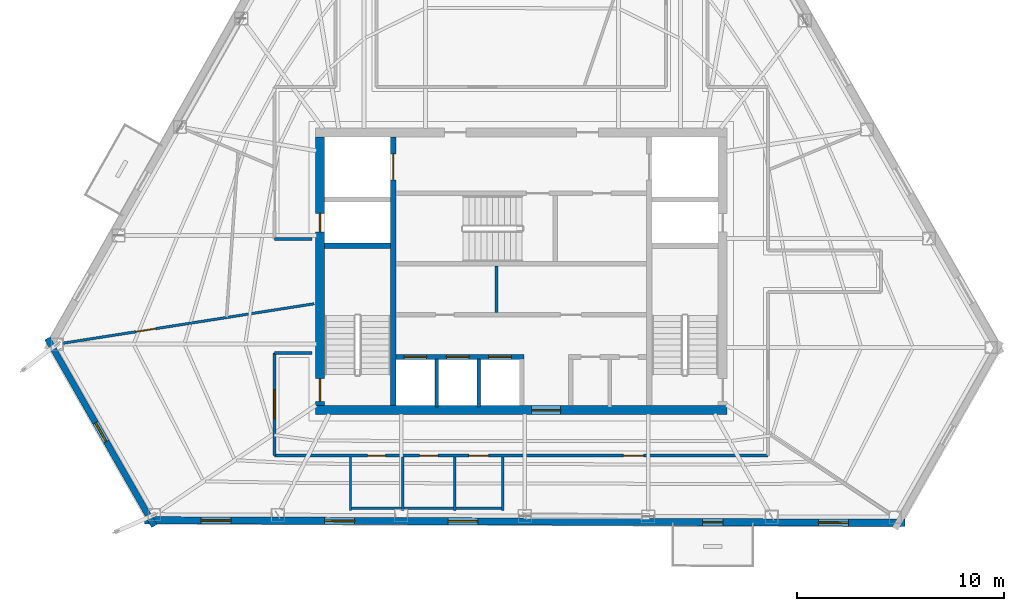
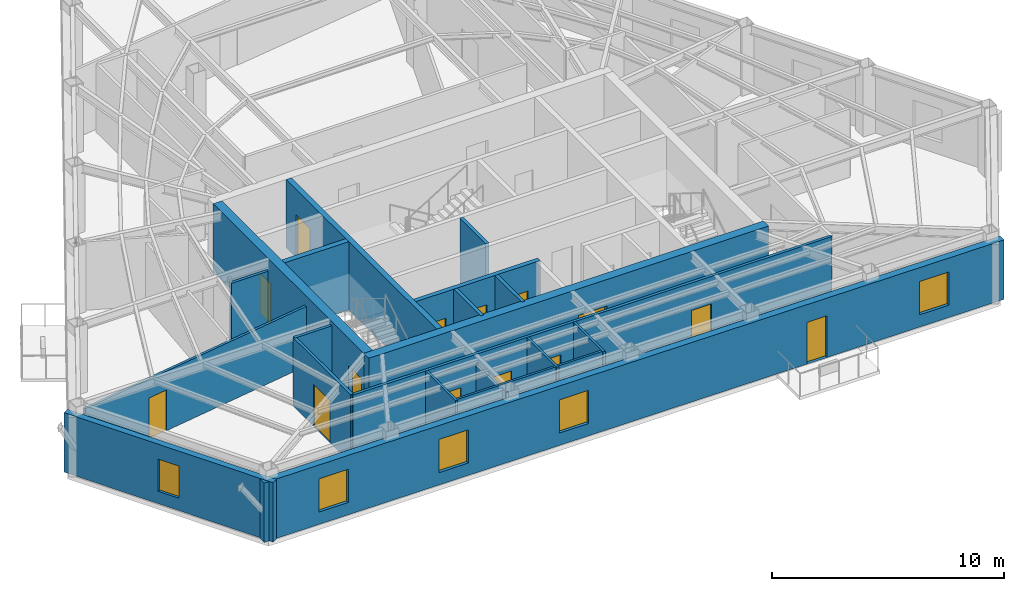
# One storey, part 8 of 13: 20 walls, 14 doors, 5 windows, 19 openings.
"""IFC4 building model written with IfcOpenShell, lengths in metres."""

from ifc_helpers import new_model, si_unit, direction, frame, frame_2d, origin, place, context, subcontext, project, spatial, rectangle, extrude, material, layer, layer_set, type_object, element, fill, save


model = new_model("IFC4")

# Units and contexts
model_context = context("Model", 3, precision=1e-05, world=origin(), true_north=direction((0.0, 1.0)))
body_context = subcontext(model_context, "Body", "Model", "MODEL_VIEW")
ifc_project = project(units=[si_unit("LENGTHUNIT", "METRE"), si_unit("AREAUNIT", "SQUARE_METRE"), si_unit("VOLUMEUNIT", "CUBIC_METRE"), si_unit("PLANEANGLEUNIT", "RADIAN"), si_unit("MASSUNIT", "GRAM", prefix="KILO")], contexts=[model_context])

# Site, building, storey
site_placement = place(None, origin())
site = spatial("IfcSite", under=ifc_project, at=site_placement, CompositionType="ELEMENT")
building_placement = place(site_placement, origin())
building = spatial("IfcBuilding", under=site, at=building_placement, Name="Kavelnor Concourse Tower", CompositionType="ELEMENT")
storey_placement = place(building_placement, frame((0.0, 0.0, 168.85009765625)))
storey = spatial("IfcBuildingStorey", under=building, at=storey_placement, Name="L42", CompositionType="ELEMENT", Elevation=168.85009765625)

# Wall, opening, door
ifc_material_1 = material(Name="Concrete C50/60", Category="concrete")
ifc_layer_1 = layer(ifc_material_1, 0.43994140625, Name="Concrete C50/60")
ifc_layer_set_1 = layer_set([ifc_layer_1], Name="Concrete C50/60")
wall_type_1 = type_object("IfcWallType", Name="WL-CORE-Z3-440", PredefinedType="SOLIDWALL", material=ifc_layer_set_1)
wall_1_placement = place(storey_placement, frame((28.0400390625, 9.3798828125, 0.0), z_axis=(0.0, 0.0, 1.0), x_axis=(1.0, 0.0, 0.0)))
wall_1 = element("IfcWall", 1, at=wall_1_placement, inside=storey, type_object=wall_type_1, Name="L42 Central Core South Shear Wall", PredefinedType="SOLIDWALL", context=body_context, shape_type="SweptSolid", body=[
    extrude(rectangle(XDim=19.919921875, YDim=0.43994140625, at=frame_2d((9.9599609375, 0.0))), origin(), (0.0, 0.0, 1.0), 3.599853515625),
])
opening_1_placement = place(wall_1_placement, frame((10.4599609375, 0.0, 0.0)))
opening_1 = element("IfcOpeningElement", 2, at=opening_1_placement, cuts=wall_1, Name="Opening SD-140", PredefinedType="OPENING", context=body_context, shape_type="SweptSolid", body=[
    extrude(rectangle(XDim=1.39990234375, YDim=2.199951171875, at=frame_2d((0.699951171875, 1.10009765625))), frame((0.0, 0.22998046875, 0.0), z_axis=(0.0, -1.0, 0.0), x_axis=(1.0, 0.0, 0.0)), (0.0, 0.0, 1.0), 0.4599609375),
])
ifc_material_2 = material(Name="Solid-core hardwood timber", Category="wood")
door_type_1 = type_object("IfcDoorType", Name="DR-SUITE-ENTRY-1400", OperationType="NOTDEFINED", PredefinedType="DOOR", material=ifc_material_2)
door_1_placement = place(opening_1_placement, origin())
door_1 = element("IfcDoor", 3, at=door_1_placement, inside=storey, type_object=door_type_1, Name="L42 Passenger Lift Lobby Entry Door", OperationType="SINGLE_SWING_LEFT", OverallHeight=2.199951171875, OverallWidth=1.39990234375, PredefinedType="DOOR", context=body_context, shape_type="SweptSolid", body=[
    extrude(rectangle(XDim=1.39990234375, YDim=2.199951171875, at=frame_2d((0.699951171875, 1.10009765625))), frame((0.0, 0.02490234375, 0.0), z_axis=(0.0, -1.0, 0.0), x_axis=(1.0, 0.0, 0.0)), (0.0, 0.0, 1.0), 0.050048828125),
])
fill(opening_1, door_1)

# Wall, openings, doors
wall_2_placement = place(storey_placement, frame((28.260009765625, 9.60009765625, 0.0), z_axis=(0.0, 0.0, 1.0), x_axis=(0.0, 1.0, 0.0)))
wall_2 = element("IfcWall", 4, at=wall_2_placement, inside=storey, type_object=wall_type_1, Name="L42 Central Core West Shear Wall", PredefinedType="SOLIDWALL", context=body_context, shape_type="SweptSolid", body=[
    extrude(rectangle(XDim=13.0, YDim=0.43994140625, at=frame_2d((6.5, 0.0))), origin(), (0.0, 0.0, 1.0), 3.599853515625),
])
opening_2_placement = place(wall_2_placement, frame((0.199951171875, 0.0, 0.0)))
opening_2 = element("IfcOpeningElement", 5, at=opening_2_placement, cuts=wall_2, Name="Opening FD-110", PredefinedType="OPENING", context=body_context, shape_type="SweptSolid", body=[
    extrude(rectangle(XDim=1.10009765625, YDim=2.14990234375, at=frame_2d((0.550048828125, 1.074951171875))), frame((0.0, 0.22998046875, 0.0), z_axis=(0.0, -1.0, 0.0), x_axis=(1.0, 0.0, 0.0)), (0.0, 0.0, 1.0), 0.4599609375),
])
opening_3_placement = place(wall_2_placement, frame((8.39990234375, 0.0, 0.0)))
opening_3 = element("IfcOpeningElement", 6, at=opening_3_placement, cuts=wall_2, Name="Opening FD-090", PredefinedType="OPENING", context=body_context, shape_type="SweptSolid", body=[
    extrude(rectangle(XDim=0.89990234375, YDim=2.10009765625, at=frame_2d((0.449951171875, 1.050048828125))), frame((0.0, 0.22998046875, 0.0), z_axis=(0.0, -1.0, 0.0), x_axis=(1.0, 0.0, 0.0)), (0.0, 0.0, 1.0), 0.4599609375),
])
ifc_material_3 = material(Name="Steel Grade 350", Category="steel")
door_type_2 = type_object("IfcDoorType", Name="DR-RISER-FIRE-900", OperationType="NOTDEFINED", PredefinedType="DOOR", material=ifc_material_3)
door_2_placement = place(opening_3_placement, origin())
door_2 = element("IfcDoor", 7, at=door_2_placement, inside=storey, type_object=door_type_2, Name="L42 West Riser Access Door", OperationType="SINGLE_SWING_RIGHT", OverallHeight=2.10009765625, OverallWidth=0.89990234375, PredefinedType="DOOR", context=body_context, shape_type="SweptSolid", body=[
    extrude(rectangle(XDim=0.89990234375, YDim=2.10009765625, at=frame_2d((0.449951171875, 1.050048828125))), frame((0.0, 0.02490234375, 0.0), z_axis=(0.0, -1.0, 0.0), x_axis=(1.0, 0.0, 0.0)), (0.0, 0.0, 1.0), 0.050048828125),
])
fill(opening_3, door_2)
door_type_3 = type_object("IfcDoorType", Name="DR-STAIR-FIRE-1100", OperationType="NOTDEFINED", PredefinedType="DOOR", material=ifc_material_3)
door_3_placement = place(opening_2_placement, origin())
door_3 = element("IfcDoor", 8, at=door_3_placement, inside=storey, type_object=door_type_3, Name="L42 Stair ST1 Fire Door", OperationType="SINGLE_SWING_LEFT", OverallHeight=2.14990234375, OverallWidth=1.10009765625, PredefinedType="DOOR", context=body_context, shape_type="SweptSolid", body=[
    extrude(rectangle(XDim=1.10009765625, YDim=2.14990234375, at=frame_2d((0.550048828125, 1.074951171875))), frame((0.0, 0.02490234375, 0.0), z_axis=(0.0, -1.0, 0.0), x_axis=(1.0, 0.0, 0.0)), (0.0, 0.0, 1.0), 0.050048828125),
])
fill(opening_2, door_3)

# Wall, opening, window
ifc_material_4 = material(Name="Buff ironspot clay face brick masonry", Category="masonry")
ifc_layer_2 = layer(ifc_material_4, 0.300048828125, Name="Buff ironspot clay face brick masonry")
ifc_layer_set_2 = layer_set([ifc_layer_2], Name="Buff ironspot clay face brick masonry")
wall_type_2 = type_object("IfcWallType", Name="WL-EXT-BUFF-BRICK-FOLD-300", PredefinedType="STANDARD", material=ifc_layer_set_2)
wall_3_placement = place(storey_placement, frame((20.246826171875, 3.770263671875, 0.0), z_axis=(0.0, 0.0, 1.0), x_axis=(-0.495323484774, 0.868708607895, 0.0)))
wall_3 = element("IfcWall", 9, at=wall_3_placement, inside=storey, type_object=wall_type_2, Name="L42 Exterior Brick Facade Wall E2", PredefinedType="STANDARD", context=body_context, shape_type="SweptSolid", body=[
    extrude(rectangle(XDim=10.44921875, YDim=0.300048828125, at=frame_2d((5.224609375, 0.0))), origin(), (0.0, 0.0, 1.0), 3.1318359375),
])
opening_4_placement = place(wall_3_placement, frame((4.69970703125, 0.0, 0.64990234375)))
opening_4 = element("IfcOpeningElement", 10, at=opening_4_placement, cuts=wall_3, Name="Opening W-06", PredefinedType="OPENING", context=body_context, shape_type="SweptSolid", body=[
    extrude(rectangle(XDim=1.050048828125, YDim=1.699951171875, at=frame_2d((0.52490234375, 0.85009765625))), frame((0.0, 0.16015625, 0.0), z_axis=(0.0, -1.0, 0.0), x_axis=(1.0, 0.0, 0.0)), (0.0, 0.0, 1.0), 0.320068359375),
])
ifc_material_5 = material(Name="Double low-E argon insulated glazing", Category="glass")
window_type_1 = type_object("IfcWindowType", Name="WIN-FOLD-1050", PartitioningType="SINGLE_PANEL", PredefinedType="WINDOW", material=ifc_material_5)
window_1_placement = place(opening_4_placement, origin())
window_1 = element("IfcWindow", 11, at=window_1_placement, inside=storey, type_object=window_type_1, Name="L42 Chamfer-Fold Facet Window C1", OverallHeight=1.699951171875, OverallWidth=1.050048828125, PartitioningType="SINGLE_PANEL", PredefinedType="WINDOW", context=body_context, shape_type="SweptSolid", body=[
    extrude(rectangle(XDim=1.050048828125, YDim=1.699951171875, at=frame_2d((0.52490234375, 0.85009765625))), frame((0.0, 0.030029296875, 0.0), z_axis=(0.0, -1.0, 0.0), x_axis=(1.0, 0.0, 0.0)), (0.0, 0.0, 1.0), 0.06005859375),
])
fill(opening_4, window_1)

# Wall, openings, door, windows
ifc_material_6 = material(Name="Red-ochre clay face brick masonry", Category="masonry")
ifc_layer_3 = layer(ifc_material_6, 0.35009765625, Name="Red-ochre clay face brick masonry")
ifc_layer_set_3 = layer_set([ifc_layer_3], Name="Red-ochre clay face brick masonry")
wall_type_3 = type_object("IfcWallType", Name="WL-EXT-RED-BRICK-PIER-350", PredefinedType="STANDARD", material=ifc_layer_set_3)
wall_4_placement = place(storey_placement, frame((56.570068359375, 3.924072265625, 0.0), z_axis=(0.0, 0.0, 1.0), x_axis=(-0.999994073586, 0.003442788504, 0.0)))
wall_4 = element("IfcWall", 12, at=wall_4_placement, inside=storey, type_object=wall_type_3, Name="L42 Exterior Brick Facade Wall E3", PredefinedType="STANDARD", context=body_context, shape_type="SweptSolid", body=[
    extrude(rectangle(XDim=36.80419921875, YDim=0.35009765625, at=frame_2d((18.402099609375, 0.0))), origin(), (0.0, 0.0, 1.0), 3.1318359375),
])
opening_5_placement = place(wall_4_placement, frame((8.801025390625, 0.0, 0.0)))
opening_5 = element("IfcOpeningElement", 13, at=opening_5_placement, cuts=wall_4, Name="Opening BD-100", PredefinedType="OPENING", context=body_context, shape_type="SweptSolid", body=[
    extrude(rectangle(XDim=1.0, YDim=2.199951171875, at=frame_2d((0.5, 1.10009765625))), frame((0.0, 0.18505859375, 0.0), z_axis=(0.0, -1.0, 0.0), x_axis=(1.0, 0.0, 0.0)), (0.0, 0.0, 1.0), 0.3701171875),
])
opening_6_placement = place(wall_4_placement, frame((32.6142578125, 0.0, 0.64990234375)))
opening_6 = element("IfcOpeningElement", 14, at=opening_6_placement, cuts=wall_4, Name="Opening W-03", PredefinedType="OPENING", context=body_context, shape_type="SweptSolid", body=[
    extrude(rectangle(XDim=1.449951171875, YDim=1.75, at=frame_2d((0.72509765625, 0.875))), frame((0.0, 0.18505859375, 0.0), z_axis=(0.0, -1.0, 0.0), x_axis=(1.0, 0.0, 0.0)), (0.0, 0.0, 1.0), 0.3701171875),
])
opening_7_placement = place(wall_4_placement, frame((26.64013671875, 0.0, 0.64990234375)))
opening_7 = element("IfcOpeningElement", 15, at=opening_7_placement, cuts=wall_4, Name="Opening W-03", PredefinedType="OPENING", context=body_context, shape_type="SweptSolid", body=[
    extrude(rectangle(XDim=1.449951171875, YDim=1.75, at=frame_2d((0.72509765625, 0.875))), frame((0.0, 0.18505859375, 0.0), z_axis=(0.0, -1.0, 0.0), x_axis=(1.0, 0.0, 0.0)), (0.0, 0.0, 1.0), 0.3701171875),
])
opening_8_placement = place(wall_4_placement, frame((20.666015625, 0.0, 0.64990234375)))
opening_8 = element("IfcOpeningElement", 16, at=opening_8_placement, cuts=wall_4, Name="Opening W-03", PredefinedType="OPENING", context=body_context, shape_type="SweptSolid", body=[
    extrude(rectangle(XDim=1.449951171875, YDim=1.75, at=frame_2d((0.72509765625, 0.875))), frame((0.0, 0.18505859375, 0.0), z_axis=(0.0, -1.0, 0.0), x_axis=(1.0, 0.0, 0.0)), (0.0, 0.0, 1.0), 0.3701171875),
])
opening_9_placement = place(wall_4_placement, frame((2.7431640625, 0.0, 0.64990234375)))
opening_9 = element("IfcOpeningElement", 17, at=opening_9_placement, cuts=wall_4, Name="Opening W-03", PredefinedType="OPENING", context=body_context, shape_type="SweptSolid", body=[
    extrude(rectangle(XDim=1.449951171875, YDim=1.75, at=frame_2d((0.72509765625, 0.875))), frame((0.0, 0.18505859375, 0.0), z_axis=(0.0, -1.0, 0.0), x_axis=(1.0, 0.0, 0.0)), (0.0, 0.0, 1.0), 0.3701171875),
])
ifc_material_7 = material(Name="Anodised aluminium 6063-T6", Category="aluminium")
door_type_4 = type_object("IfcDoorType", Name="DR-BALCONY-EXT-1000", OperationType="NOTDEFINED", PredefinedType="DOOR", material=ifc_material_7)
door_4_placement = place(opening_5_placement, origin())
door_4 = element("IfcDoor", 18, at=door_4_placement, inside=storey, type_object=door_type_4, Name="L42 Tree Balcony 2 Glazed Door", OperationType="SINGLE_SWING_RIGHT", OverallHeight=2.199951171875, OverallWidth=1.0, PredefinedType="DOOR", context=body_context, shape_type="SweptSolid", body=[
    extrude(rectangle(XDim=1.0, YDim=2.199951171875, at=frame_2d((0.5, 1.10009765625))), frame((0.0, 0.02490234375, 0.0), z_axis=(0.0, -1.0, 0.0), x_axis=(1.0, 0.0, 0.0)), (0.0, 0.0, 1.0), 0.050048828125),
])
fill(opening_5, door_4)
window_type_2 = type_object("IfcWindowType", Name="WIN-PIER-Z3-1500", PartitioningType="SINGLE_PANEL", PredefinedType="WINDOW", material=ifc_material_5)
window_2_placement = place(opening_6_placement, origin())
window_2 = element("IfcWindow", 19, at=window_2_placement, inside=storey, type_object=window_type_2, Name="L42 Deep-Set Brick Pier Window F1-B0", OverallHeight=1.75, OverallWidth=1.449951171875, PartitioningType="SINGLE_PANEL", PredefinedType="WINDOW", context=body_context, shape_type="SweptSolid", body=[
    extrude(rectangle(XDim=1.449951171875, YDim=1.75, at=frame_2d((0.72509765625, 0.875))), frame((0.0, 0.030029296875, 0.0), z_axis=(0.0, -1.0, 0.0), x_axis=(1.0, 0.0, 0.0)), (0.0, 0.0, 1.0), 0.06005859375),
])
fill(opening_6, window_2)
window_3_placement = place(opening_7_placement, origin())
window_3 = element("IfcWindow", 20, at=window_3_placement, inside=storey, type_object=window_type_2, Name="L42 Deep-Set Brick Pier Window F1-B1", OverallHeight=1.75, OverallWidth=1.449951171875, PartitioningType="SINGLE_PANEL", PredefinedType="WINDOW", context=body_context, shape_type="SweptSolid", body=[
    extrude(rectangle(XDim=1.449951171875, YDim=1.75, at=frame_2d((0.72509765625, 0.875))), frame((0.0, 0.030029296875, 0.0), z_axis=(0.0, -1.0, 0.0), x_axis=(1.0, 0.0, 0.0)), (0.0, 0.0, 1.0), 0.06005859375),
])
fill(opening_7, window_3)
window_4_placement = place(opening_8_placement, origin())
window_4 = element("IfcWindow", 21, at=window_4_placement, inside=storey, type_object=window_type_2, Name="L42 Deep-Set Brick Pier Window F1-B2", OverallHeight=1.75, OverallWidth=1.449951171875, PartitioningType="SINGLE_PANEL", PredefinedType="WINDOW", context=body_context, shape_type="SweptSolid", body=[
    extrude(rectangle(XDim=1.449951171875, YDim=1.75, at=frame_2d((0.72509765625, 0.875))), frame((0.0, 0.030029296875, 0.0), z_axis=(0.0, -1.0, 0.0), x_axis=(1.0, 0.0, 0.0)), (0.0, 0.0, 1.0), 0.06005859375),
])
fill(opening_8, window_4)
window_5_placement = place(opening_9_placement, origin())
window_5 = element("IfcWindow", 22, at=window_5_placement, inside=storey, type_object=window_type_2, Name="L42 Deep-Set Brick Pier Window F1-B5", OverallHeight=1.75, OverallWidth=1.449951171875, PartitioningType="SINGLE_PANEL", PredefinedType="WINDOW", context=body_context, shape_type="SweptSolid", body=[
    extrude(rectangle(XDim=1.449951171875, YDim=1.75, at=frame_2d((0.72509765625, 0.875))), frame((0.0, 0.030029296875, 0.0), z_axis=(0.0, -1.0, 0.0), x_axis=(1.0, 0.0, 0.0)), (0.0, 0.0, 1.0), 0.06005859375),
])
fill(opening_9, window_5)

# Wall
ifc_material_8 = material(Name="Gypsum plasterboard on light-gauge steel studs", Category="steel")
ifc_layer_4 = layer(ifc_material_8, 0.14501953125, Name="Gypsum plasterboard on light-gauge steel studs")
ifc_layer_set_4 = layer_set([ifc_layer_4], Name="Gypsum plasterboard on light-gauge steel studs")
wall_type_4 = type_object("IfcWallType", Name="WL-INT-CORR-145", PredefinedType="PARTITIONING", material=ifc_layer_set_4)
wall_5_placement = place(storey_placement, frame((27.8798828125, 17.64990234375, 0.0), z_axis=(0.0, 0.0, 1.0), x_axis=(-1.0, 0.0, 0.0)))
element("IfcWall", 23, at=wall_5_placement, inside=storey, type_object=wall_type_4, Name="L42 Corridor Wall WL-L42-CR-01", PredefinedType="PARTITIONING", context=body_context, shape_type="SweptSolid", body=[
    extrude(rectangle(XDim=1.81982421875, YDim=0.14501953125, at=frame_2d((0.909912109375, 0.0))), origin(), (0.0, 0.0, 1.0), 3.140869140625),
])

# Wall, openings, doors
wall_6_placement = place(storey_placement, frame((49.93994140625, 7.179931640625, 0.0), z_axis=(0.0, 0.0, 1.0), x_axis=(-1.0, 0.0, 0.0)))
wall_6 = element("IfcWall", 24, at=wall_6_placement, inside=storey, type_object=wall_type_4, Name="L42 Corridor Wall WL-L42-CR-17", PredefinedType="PARTITIONING", context=body_context, shape_type="SweptSolid", body=[
    extrude(rectangle(XDim=23.8798828125, YDim=0.14501953125, at=frame_2d((11.93994140625, 0.0))), origin(), (0.0, 0.0, 1.0), 3.599853515625),
])
opening_10_placement = place(wall_6_placement, frame((18.5, 0.0, 0.0)))
opening_10 = element("IfcOpeningElement", 25, at=opening_10_placement, cuts=wall_6, Name="Opening WD-088", PredefinedType="OPENING", context=body_context, shape_type="SweptSolid", body=[
    extrude(rectangle(XDim=0.8798828125, YDim=2.10009765625, at=frame_2d((0.43994140625, 1.050048828125))), frame((0.0, 0.08251953125, 0.0), z_axis=(0.0, -1.0, 0.0), x_axis=(1.0, 0.0, 0.0)), (0.0, 0.0, 1.0), 0.1650390625),
])
opening_11_placement = place(wall_6_placement, frame((15.97998046875, 0.0, 0.0)))
opening_11 = element("IfcOpeningElement", 26, at=opening_11_placement, cuts=wall_6, Name="Opening WD-088", PredefinedType="OPENING", context=body_context, shape_type="SweptSolid", body=[
    extrude(rectangle(XDim=0.8798828125, YDim=2.10009765625, at=frame_2d((0.43994140625, 1.050048828125))), frame((0.0, 0.08251953125, 0.0), z_axis=(0.0, -1.0, 0.0), x_axis=(1.0, 0.0, 0.0)), (0.0, 0.0, 1.0), 0.1650390625),
])
opening_12_placement = place(wall_6_placement, frame((13.52001953125, 0.0, 0.0)))
opening_12 = element("IfcOpeningElement", 27, at=opening_12_placement, cuts=wall_6, Name="Opening WD-096", PredefinedType="OPENING", context=body_context, shape_type="SweptSolid", body=[
    extrude(rectangle(XDim=0.9599609375, YDim=2.10009765625, at=frame_2d((0.47998046875, 1.050048828125))), frame((0.0, 0.08251953125, 0.0), z_axis=(0.0, -1.0, 0.0), x_axis=(1.0, 0.0, 0.0)), (0.0, 0.0, 1.0), 0.1650390625),
])
opening_13_placement = place(wall_6_placement, frame((6.0205078125, 0.0, 0.0)))
opening_13 = element("IfcOpeningElement", 28, at=opening_13_placement, cuts=wall_6, Name="Opening OD-098", PredefinedType="OPENING", context=body_context, shape_type="SweptSolid", body=[
    extrude(rectangle(XDim=0.97998046875, YDim=2.14990234375, at=frame_2d((0.489990234375, 1.074951171875))), frame((0.0, 0.08251953125, 0.0), z_axis=(0.0, -1.0, 0.0), x_axis=(1.0, 0.0, 0.0)), (0.0, 0.0, 1.0), 0.1650390625),
])
door_type_5 = type_object("IfcDoorType", Name="DR-OFFICE-980", OperationType="NOTDEFINED", PredefinedType="DOOR", material=ifc_material_2)
door_5_placement = place(opening_13_placement, origin())
door_5 = element("IfcDoor", 29, at=door_5_placement, inside=storey, type_object=door_type_5, Name="L42 Workplace Open Office 07 Door", OperationType="SINGLE_SWING_RIGHT", OverallHeight=2.14990234375, OverallWidth=0.97998046875, PredefinedType="DOOR", context=body_context, shape_type="SweptSolid", body=[
    extrude(rectangle(XDim=0.97998046875, YDim=2.14990234375, at=frame_2d((0.489990234375, 1.074951171875))), frame((0.0, 0.02490234375, 0.0), z_axis=(0.0, -1.0, 0.0), x_axis=(1.0, 0.0, 0.0)), (0.0, 0.0, 1.0), 0.050048828125),
])
fill(opening_13, door_5)
door_type_6 = type_object("IfcDoorType", Name="DR-WC-ACC-960", OperationType="NOTDEFINED", PredefinedType="DOOR", material=ifc_material_2)
door_6_placement = place(opening_12_placement, origin())
door_6 = element("IfcDoor", 30, at=door_6_placement, inside=storey, type_object=door_type_6, Name="L42 Accessible WC Door", OperationType="SINGLE_SWING_LEFT", OverallHeight=2.10009765625, OverallWidth=0.9599609375, PredefinedType="DOOR", context=body_context, shape_type="SweptSolid", body=[
    extrude(rectangle(XDim=0.9599609375, YDim=2.10009765625, at=frame_2d((0.47998046875, 1.050048828125))), frame((0.0, 0.02490234375, 0.0), z_axis=(0.0, -1.0, 0.0), x_axis=(1.0, 0.0, 0.0)), (0.0, 0.0, 1.0), 0.050048828125),
])
fill(opening_12, door_6)
door_type_7 = type_object("IfcDoorType", Name="DR-WC-STD-880", OperationType="NOTDEFINED", PredefinedType="DOOR", material=ifc_material_2)
door_7_placement = place(opening_10_placement, origin())
door_7 = element("IfcDoor", 31, at=door_7_placement, inside=storey, type_object=door_type_7, Name="L42 Male WC Door", OperationType="SINGLE_SWING_LEFT", OverallHeight=2.10009765625, OverallWidth=0.8798828125, PredefinedType="DOOR", context=body_context, shape_type="SweptSolid", body=[
    extrude(rectangle(XDim=0.8798828125, YDim=2.10009765625, at=frame_2d((0.43994140625, 1.050048828125))), frame((0.0, 0.02490234375, 0.0), z_axis=(0.0, -1.0, 0.0), x_axis=(1.0, 0.0, 0.0)), (0.0, 0.0, 1.0), 0.050048828125),
])
fill(opening_10, door_7)
door_8_placement = place(opening_11_placement, origin())
door_8 = element("IfcDoor", 32, at=door_8_placement, inside=storey, type_object=door_type_7, Name="L42 Female WC Door", OperationType="SINGLE_SWING_RIGHT", OverallHeight=2.10009765625, OverallWidth=0.8798828125, PredefinedType="DOOR", context=body_context, shape_type="SweptSolid", body=[
    extrude(rectangle(XDim=0.8798828125, YDim=2.10009765625, at=frame_2d((0.43994140625, 1.050048828125))), frame((0.0, 0.02490234375, 0.0), z_axis=(0.0, -1.0, 0.0), x_axis=(1.0, 0.0, 0.0)), (0.0, 0.0, 1.0), 0.050048828125),
])
fill(opening_11, door_8)

# Wall, opening, door
wall_7_placement = place(storey_placement, frame((26.06005859375, 7.179931640625, 0.0), z_axis=(0.0, 0.0, 1.0), x_axis=(0.0, 1.0, 0.0)))
wall_7 = element("IfcWall", 33, at=wall_7_placement, inside=storey, type_object=wall_type_4, Name="L42 Corridor Wall WL-L42-CR-18", PredefinedType="PARTITIONING", context=body_context, shape_type="SweptSolid", body=[
    extrude(rectangle(XDim=4.969970703125, YDim=0.14501953125, at=frame_2d((2.48486328125, 0.0))), origin(), (0.0, 0.0, 1.0), 3.599853515625),
])
opening_14_placement = place(wall_7_placement, frame((1.784912109375, 0.0, 0.0)))
opening_14 = element("IfcOpeningElement", 34, at=opening_14_placement, cuts=wall_7, Name="Opening SD-140", PredefinedType="OPENING", context=body_context, shape_type="SweptSolid", body=[
    extrude(rectangle(XDim=1.39990234375, YDim=2.199951171875, at=frame_2d((0.699951171875, 1.10009765625))), frame((0.0, 0.08251953125, 0.0), z_axis=(0.0, -1.0, 0.0), x_axis=(1.0, 0.0, 0.0)), (0.0, 0.0, 1.0), 0.1650390625),
])
door_9_placement = place(opening_14_placement, origin())
door_9 = element("IfcDoor", 35, at=door_9_placement, inside=storey, type_object=door_type_1, Name="L42 Tenant Bookstore Retail Shop 06 Door", OperationType="SINGLE_SWING_LEFT", OverallHeight=2.199951171875, OverallWidth=1.39990234375, PredefinedType="DOOR", context=body_context, shape_type="SweptSolid", body=[
    extrude(rectangle(XDim=1.39990234375, YDim=2.199951171875, at=frame_2d((0.699951171875, 1.10009765625))), frame((0.0, 0.02490234375, 0.0), z_axis=(0.0, -1.0, 0.0), x_axis=(1.0, 0.0, 0.0)), (0.0, 0.0, 1.0), 0.050048828125),
])
fill(opening_14, door_9)

# Walls
wall_8_placement = place(storey_placement, frame((26.06005859375, 12.14990234375, 0.0), z_axis=(0.0, 0.0, 1.0), x_axis=(1.0, 0.0, 0.0)))
element("IfcWall", 36, at=wall_8_placement, inside=storey, type_object=wall_type_4, Name="L42 Corridor Wall WL-L42-CR-19", PredefinedType="PARTITIONING", context=body_context, shape_type="SweptSolid", body=[
    extrude(rectangle(XDim=1.81982421875, YDim=0.14501953125, at=frame_2d((0.909912109375, 0.0))), origin(), (0.0, 0.0, 1.0), 3.599853515625),
])
ifc_layer_5 = layer(ifc_material_8, 0.1650390625, Name="Gypsum plasterboard on light-gauge steel studs")
ifc_layer_set_5 = layer_set([ifc_layer_5], Name="Gypsum plasterboard on light-gauge steel studs")
wall_type_5 = type_object("IfcWallType", Name="WL-INT-FIRE-165", PredefinedType="PARTITIONING", material=ifc_layer_set_5)
for number, where, z_axis, x_axis, name in (
    (37, (33.89990234375, 9.52001953125, 0.0), (0.0, 0.0, 1.0), (0.0, 1.0, 0.0), "L42 Lift Shaft Divider LP7"),
    (38, (35.949951171875, 9.52001953125, 0.0), (0.0, 0.0, 1.0), (0.0, 1.0, 0.0), "L42 Lift Shaft Divider LP8"),
):
    element("IfcWall", number, at=place(storey_placement, frame(where, z_axis=z_axis, x_axis=x_axis)), inside=storey, type_object=wall_type_5, Name=name, PredefinedType="PARTITIONING", context=body_context, shape_type="SweptSolid", body=[
        extrude(rectangle(XDim=2.320068359375, YDim=0.1650390625, at=frame_2d((1.16015625, 0.0))), origin(), (0.0, 0.0, 1.0), 3.599853515625),
    ])
wall_9_placement = place(storey_placement, frame((36.800048828125, 14.10009765625, 0.0), z_axis=(0.0, 0.0, 1.0), x_axis=(0.0, 1.0, 0.0)))
element("IfcWall", 39, at=wall_9_placement, inside=storey, type_object=wall_type_5, Name="L42 Reclaimed Core Partition A", PredefinedType="PARTITIONING", context=body_context, shape_type="SweptSolid", body=[
    extrude(rectangle(XDim=2.239990234375, YDim=0.1650390625, at=frame_2d((1.1201171875, 0.0))), origin(), (0.0, 0.0, 1.0), 3.599853515625),
])

# Wall, opening, door
ifc_layer_6 = layer(ifc_material_8, 0.125, Name="Gypsum plasterboard on light-gauge steel studs")
ifc_layer_set_6 = layer_set([ifc_layer_6], Name="Gypsum plasterboard on light-gauge steel studs")
wall_type_6 = type_object("IfcWallType", Name="WL-INT-SUITE-125", PredefinedType="PARTITIONING", material=ifc_layer_set_6)
wall_10_placement = place(storey_placement, frame((27.97998046875, 14.525390625, 0.0), z_axis=(0.0, 0.0, 1.0), x_axis=(-0.987880348001, -0.155217325174, 0.0)))
wall_10 = element("IfcWall", 40, at=wall_10_placement, inside=storey, type_object=wall_type_6, Name="L42 Radial Suite Partition 04", PredefinedType="PARTITIONING", context=body_context, shape_type="SweptSolid", body=[
    extrude(rectangle(XDim=12.28125, YDim=0.125, at=frame_2d((6.140625, 0.0))), origin(), (0.0, 0.0, 1.0), 3.140869140625),
])
opening_15_placement = place(wall_10_placement, frame((7.76318359375, 0.0, 0.0)))
opening_15 = element("IfcOpeningElement", 41, at=opening_15_placement, cuts=wall_10, Name="Opening OD-098", PredefinedType="OPENING", context=body_context, shape_type="SweptSolid", body=[
    extrude(rectangle(XDim=0.97998046875, YDim=2.14990234375, at=frame_2d((0.489990234375, 1.074951171875))), frame((0.0, 0.072509765625, 0.0), z_axis=(0.0, -1.0, 0.0), x_axis=(1.0, 0.0, 0.0)), (0.0, 0.0, 1.0), 0.14501953125),
])
door_10_placement = place(opening_15_placement, origin())
door_10 = element("IfcDoor", 42, at=door_10_placement, inside=storey, type_object=door_type_5, Name="L42 Tenant Bookstore Retail Shop 05 Door", OperationType="SINGLE_SWING_RIGHT", OverallHeight=2.14990234375, OverallWidth=0.97998046875, PredefinedType="DOOR", context=body_context, shape_type="SweptSolid", body=[
    extrude(rectangle(XDim=0.97998046875, YDim=2.14990234375, at=frame_2d((0.489990234375, 1.074951171875))), frame((0.0, 0.02490234375, 0.0), z_axis=(0.0, -1.0, 0.0), x_axis=(1.0, 0.0, 0.0)), (0.0, 0.0, 1.0), 0.050048828125),
])
fill(opening_15, door_10)

# Walls
ifc_layer_7 = layer(ifc_material_8, 0.110107421875, Name="Gypsum plasterboard on light-gauge steel studs")
ifc_layer_set_7 = layer_set([ifc_layer_7], Name="Gypsum plasterboard on light-gauge steel studs")
wall_type_7 = type_object("IfcWallType", Name="WL-INT-WC-110", PredefinedType="PLUMBINGWALL", material=ifc_layer_set_7)
wall_11_placement = place(storey_placement, frame((29.739990234375, 4.530029296875, 0.0), z_axis=(0.0, 0.0, 1.0), x_axis=(0.0, 1.0, 0.0)))
element("IfcWall", 43, at=wall_11_placement, inside=storey, type_object=wall_type_7, Name="L42 Sanitary Partition WL-L42-WC-W", PredefinedType="PLUMBINGWALL", context=body_context, shape_type="SweptSolid", body=[
    extrude(rectangle(XDim=2.580078125, YDim=0.110107421875, at=frame_2d((1.2900390625, 0.0))), origin(), (0.0, 0.0, 1.0), 3.599853515625),
])
wall_12_placement = place(storey_placement, frame((32.260009765625, 4.530029296875, 0.0), z_axis=(0.0, 0.0, 1.0), x_axis=(0.0, 1.0, 0.0)))
element("IfcWall", 44, at=wall_12_placement, inside=storey, type_object=wall_type_7, Name="L42 Sanitary Partition WL-L42-WC-D1", PredefinedType="PLUMBINGWALL", context=body_context, shape_type="SweptSolid", body=[
    extrude(rectangle(XDim=2.580078125, YDim=0.110107421875, at=frame_2d((1.2900390625, 0.0))), origin(), (0.0, 0.0, 1.0), 3.140869140625),
])
for number, where, z_axis, x_axis, name in (
    (45, (34.780029296875, 4.530029296875, 0.0), (0.0, 0.0, 1.0), (0.0, 1.0, 0.0), "L42 Sanitary Partition WL-L42-WC-D2"),
    (46, (37.10009765625, 4.530029296875, 0.0), (0.0, 0.0, 1.0), (0.0, 1.0, 0.0), "L42 Sanitary Partition WL-L42-WC-E"),
):
    element("IfcWall", number, at=place(storey_placement, frame(where, z_axis=z_axis, x_axis=x_axis)), inside=storey, type_object=wall_type_7, Name=name, PredefinedType="PLUMBINGWALL", context=body_context, shape_type="SweptSolid", body=[
        extrude(rectangle(XDim=2.580078125, YDim=0.110107421875, at=frame_2d((1.2900390625, 0.0))), origin(), (0.0, 0.0, 1.0), 3.599853515625),
    ])
wall_13_placement = place(storey_placement, frame((29.68994140625, 4.6298828125, 0.0), z_axis=(0.0, 0.0, 1.0), x_axis=(1.0, 0.0, 0.0)))
element("IfcWall", 47, at=wall_13_placement, inside=storey, type_object=wall_type_7, Name="L42 Sanitary Partition WL-L42-WC-S", PredefinedType="PLUMBINGWALL", context=body_context, shape_type="SweptSolid", body=[
    extrude(rectangle(XDim=7.4599609375, YDim=0.110107421875, at=frame_2d((3.72998046875, 0.0))), origin(), (0.0, 0.0, 1.0), 3.599853515625),
])

# Wall, openings, doors
ifc_layer_8 = layer(ifc_material_1, 0.219970703125, Name="Concrete C50/60")
ifc_layer_set_8 = layer_set([ifc_layer_8], Name="Concrete C50/60")
wall_type_8 = type_object("IfcWallType", Name="WL-SHAFT-220", PredefinedType="SOLIDWALL", material=ifc_layer_set_8)
wall_14_placement = place(storey_placement, frame((31.93994140625, 11.949951171875, 0.0), z_axis=(0.0, 0.0, 1.0), x_axis=(1.0, 0.0, 0.0)))
wall_14 = element("IfcWall", 48, at=wall_14_placement, inside=storey, type_object=wall_type_8, Name="L42 High-Rise Lift Bank North Wall", PredefinedType="SOLIDWALL", context=body_context, shape_type="SweptSolid", body=[
    extrude(rectangle(XDim=6.18994140625, YDim=0.219970703125, at=frame_2d((3.094970703125, 0.0))), origin(), (0.0, 0.0, 1.0), 3.599853515625),
])
opening_16_placement = place(wall_14_placement, frame((0.385009765625, 0.0, 0.0)))
opening_16 = element("IfcOpeningElement", 49, at=opening_16_placement, cuts=wall_14, Name="Opening LD-110", PredefinedType="OPENING", context=body_context, shape_type="SweptSolid", body=[
    extrude(rectangle(XDim=1.10009765625, YDim=2.199951171875, at=frame_2d((0.550048828125, 1.10009765625))), frame((0.0, 0.1201171875, 0.0), z_axis=(0.0, -1.0, 0.0), x_axis=(1.0, 0.0, 0.0)), (0.0, 0.0, 1.0), 0.239990234375),
])
opening_17_placement = place(wall_14_placement, frame((2.43505859375, 0.0, 0.0)))
opening_17 = element("IfcOpeningElement", 50, at=opening_17_placement, cuts=wall_14, Name="Opening LD-110", PredefinedType="OPENING", context=body_context, shape_type="SweptSolid", body=[
    extrude(rectangle(XDim=1.10009765625, YDim=2.199951171875, at=frame_2d((0.550048828125, 1.10009765625))), frame((0.0, 0.1201171875, 0.0), z_axis=(0.0, -1.0, 0.0), x_axis=(1.0, 0.0, 0.0)), (0.0, 0.0, 1.0), 0.239990234375),
])
opening_18_placement = place(wall_14_placement, frame((4.485107421875, 0.0, 0.0)))
opening_18 = element("IfcOpeningElement", 51, at=opening_18_placement, cuts=wall_14, Name="Opening LD-110", PredefinedType="OPENING", context=body_context, shape_type="SweptSolid", body=[
    extrude(rectangle(XDim=1.10009765625, YDim=2.199951171875, at=frame_2d((0.550048828125, 1.10009765625))), frame((0.0, 0.1201171875, 0.0), z_axis=(0.0, -1.0, 0.0), x_axis=(1.0, 0.0, 0.0)), (0.0, 0.0, 1.0), 0.239990234375),
])
door_type_8 = type_object("IfcDoorType", Name="DR-LIFT-SLIDING-1100", OperationType="NOTDEFINED", PredefinedType="DOOR", material=ifc_material_3)
door_11_placement = place(opening_16_placement, origin())
door_11 = element("IfcDoor", 52, at=door_11_placement, inside=storey, type_object=door_type_8, Name="L42 Lift LP7 Landing Door", OperationType="DOUBLE_DOOR_SLIDING", OverallHeight=2.199951171875, OverallWidth=1.10009765625, PredefinedType="DOOR", context=body_context, shape_type="SweptSolid", body=[
    extrude(rectangle(XDim=1.10009765625, YDim=2.199951171875, at=frame_2d((0.550048828125, 1.10009765625))), frame((0.0, 0.02490234375, 0.0), z_axis=(0.0, -1.0, 0.0), x_axis=(1.0, 0.0, 0.0)), (0.0, 0.0, 1.0), 0.050048828125),
])
fill(opening_16, door_11)
door_12_placement = place(opening_17_placement, origin())
door_12 = element("IfcDoor", 53, at=door_12_placement, inside=storey, type_object=door_type_8, Name="L42 Lift LP8 Landing Door", OperationType="DOUBLE_DOOR_SLIDING", OverallHeight=2.199951171875, OverallWidth=1.10009765625, PredefinedType="DOOR", context=body_context, shape_type="SweptSolid", body=[
    extrude(rectangle(XDim=1.10009765625, YDim=2.199951171875, at=frame_2d((0.550048828125, 1.10009765625))), frame((0.0, 0.02490234375, 0.0), z_axis=(0.0, -1.0, 0.0), x_axis=(1.0, 0.0, 0.0)), (0.0, 0.0, 1.0), 0.050048828125),
])
fill(opening_17, door_12)
door_13_placement = place(opening_18_placement, origin())
door_13 = element("IfcDoor", 54, at=door_13_placement, inside=storey, type_object=door_type_8, Name="L42 Lift LP9 Landing Door", OperationType="DOUBLE_DOOR_SLIDING", OverallHeight=2.199951171875, OverallWidth=1.10009765625, PredefinedType="DOOR", context=body_context, shape_type="SweptSolid", body=[
    extrude(rectangle(XDim=1.10009765625, YDim=2.199951171875, at=frame_2d((0.550048828125, 1.10009765625))), frame((0.0, 0.02490234375, 0.0), z_axis=(0.0, -1.0, 0.0), x_axis=(1.0, 0.0, 0.0)), (0.0, 0.0, 1.0), 0.050048828125),
])
fill(opening_18, door_13)

# Wall, opening, door
ifc_layer_9 = layer(ifc_material_1, 0.260009765625, Name="Concrete C50/60")
ifc_layer_set_9 = layer_set([ifc_layer_9], Name="Concrete C50/60")
wall_type_9 = type_object("IfcWallType", Name="WL-SHAFT-260", PredefinedType="SHEAR", material=ifc_layer_set_9)
wall_15_placement = place(storey_placement, frame((31.81005859375, 9.60009765625, 0.0), z_axis=(0.0, 0.0, 1.0), x_axis=(0.0, 1.0, 0.0)))
wall_15 = element("IfcWall", 55, at=wall_15_placement, inside=storey, type_object=wall_type_9, Name="L42 Core West Wing Shear Wall", PredefinedType="SHEAR", context=body_context, shape_type="SweptSolid", body=[
    extrude(rectangle(XDim=13.0, YDim=0.260009765625, at=frame_2d((6.5, 0.0))), origin(), (0.0, 0.0, 1.0), 3.599853515625),
])
opening_19_placement = place(wall_15_placement, frame((10.925048828125, 0.0, 0.0)))
opening_19 = element("IfcOpeningElement", 56, at=opening_19_placement, cuts=wall_15, Name="Opening LD-125", PredefinedType="OPENING", context=body_context, shape_type="SweptSolid", body=[
    extrude(rectangle(XDim=1.25, YDim=2.25, at=frame_2d((0.625, 1.125))), frame((0.0, 0.14013671875, 0.0), z_axis=(0.0, -1.0, 0.0), x_axis=(1.0, 0.0, 0.0)), (0.0, 0.0, 1.0), 0.280029296875),
])
door_type_9 = type_object("IfcDoorType", Name="DR-LIFT-SLIDING-1250", OperationType="NOTDEFINED", PredefinedType="DOOR", material=ifc_material_3)
door_14_placement = place(opening_19_placement, origin())
door_14 = element("IfcDoor", 57, at=door_14_placement, inside=storey, type_object=door_type_9, Name="L42 Emergency Lift FL1 Landing Door", OperationType="DOUBLE_DOOR_SLIDING", OverallHeight=2.25, OverallWidth=1.25, PredefinedType="DOOR", context=body_context, shape_type="SweptSolid", body=[
    extrude(rectangle(XDim=1.25, YDim=2.25, at=frame_2d((0.625, 1.125))), frame((0.0, 0.02490234375, 0.0), z_axis=(0.0, -1.0, 0.0), x_axis=(1.0, 0.0, 0.0)), (0.0, 0.0, 1.0), 0.050048828125),
])
fill(opening_19, door_14)

# Wall
wall_16_placement = place(storey_placement, frame((28.47998046875, 17.330078125, 0.0), z_axis=(0.0, 0.0, 1.0), x_axis=(1.0, 0.0, 0.0)))
element("IfcWall", 58, at=wall_16_placement, inside=storey, type_object=wall_type_9, Name="L42 Stair ST1 North Shaft Wall", PredefinedType="SHEAR", context=body_context, shape_type="SweptSolid", body=[
    extrude(rectangle(XDim=3.199951171875, YDim=0.260009765625, at=frame_2d((1.60009765625, 0.0))), origin(), (0.0, 0.0, 1.0), 3.599853515625),
])

save(model, "model.ifc")
